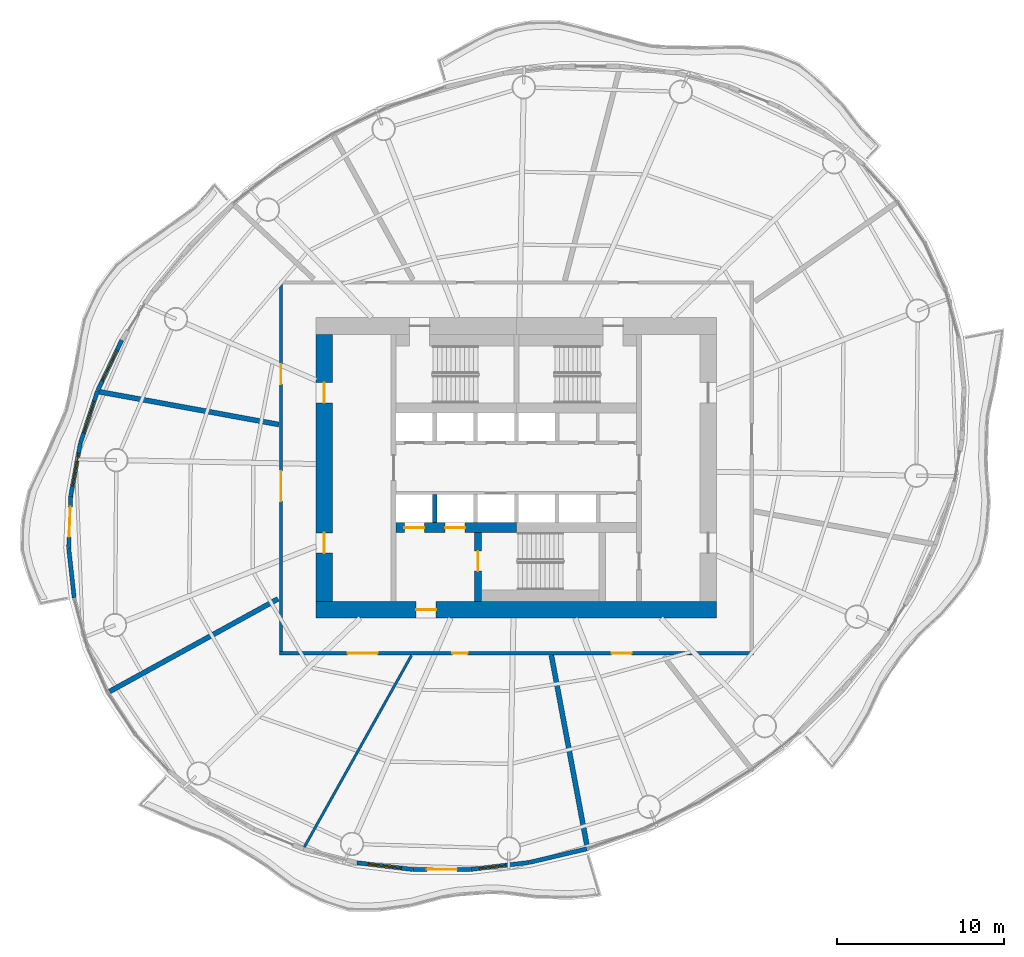
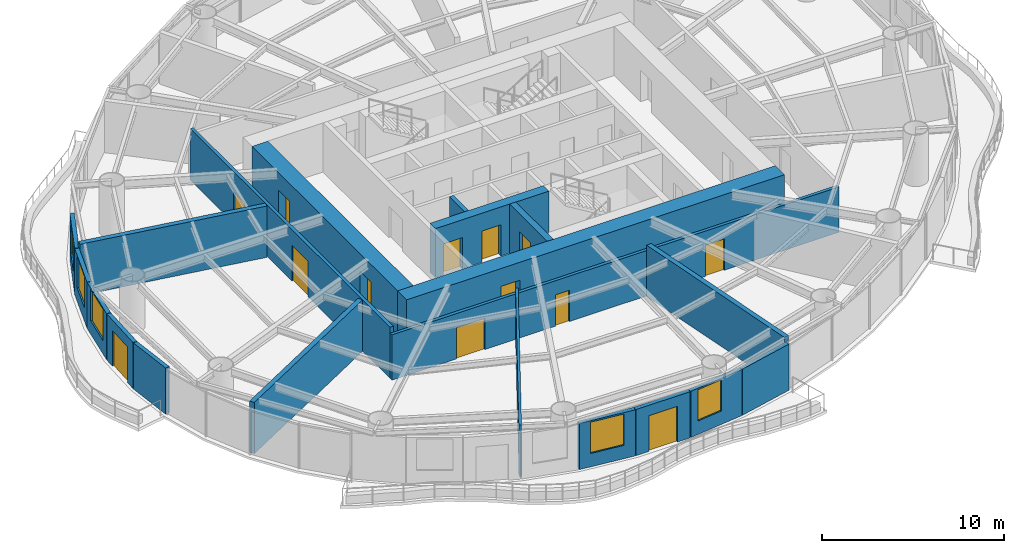
# One storey, part 8 of 14: 20 walls, 13 doors, 5 windows, 18 openings.
"""IFC4 building model written with IfcOpenShell, lengths in metres."""

from ifc_helpers import new_model, si_unit, direction, frame, frame_2d, origin, place, context, subcontext, project, spatial, rectangle, extrude, material, layer, layer_set, type_object, element, fill, save


model = new_model("IFC4")

# Units and contexts
model_context = context("Model", 3, precision=1e-05, world=origin(), true_north=direction((0.0, 1.0)))
body_context = subcontext(model_context, "Body", "Model", "MODEL_VIEW")
ifc_project = project(units=[si_unit("LENGTHUNIT", "METRE"), si_unit("AREAUNIT", "SQUARE_METRE"), si_unit("VOLUMEUNIT", "CUBIC_METRE"), si_unit("PLANEANGLEUNIT", "RADIAN"), si_unit("MASSUNIT", "GRAM", prefix="KILO")], contexts=[model_context])

# Site, building, storey
site_placement = place(None, origin())
site = spatial("IfcSite", under=ifc_project, at=site_placement, CompositionType="ELEMENT")
building_placement = place(site_placement, origin())
building = spatial("IfcBuilding", under=site, at=building_placement, Name="Vermilion Reach Broadcast Tower", CompositionType="ELEMENT")
storey_placement = place(building_placement, frame((0.0, 0.0, 150.60009765625)))
storey = spatial("IfcBuildingStorey", under=building, at=storey_placement, Name="L35", CompositionType="ELEMENT", Elevation=150.60009765625)

# Wall, opening, door
ifc_material_1 = material(Name="Concrete C70", Category="concrete")
ifc_layer_1 = layer(ifc_material_1, 0.39990234375)
ifc_layer_set_1 = layer_set([ifc_layer_1], Name="Core inner wall 400 mm Concrete C70")
wall_type_1 = type_object("IfcWallType", Name="Core inner wall 400 mm Concrete C70", PredefinedType="SHEAR", material=ifc_layer_set_1)
wall_1_placement = place(storey_placement, frame((-8.300048828125, -3.8798828125, 0.0), z_axis=(0.0, 0.0, 1.0), x_axis=(0.0, -1.0, 0.0)))
wall_1 = element("IfcWall", 1, at=wall_1_placement, inside=storey, type_object=wall_type_1, Name="L35 core wall wa", PredefinedType="SHEAR", context=body_context, shape_type="SweptSolid", body=[
    extrude(rectangle(XDim=4.1201171875, YDim=0.39990234375, at=frame_2d((2.06005859375, 0.0))), origin(), (0.0, 0.0, 1.0), 3.2998046875),
])
opening_1_placement = place(wall_1_placement, frame((1.110107421875, 0.0, 0.0)))
opening_1 = element("IfcOpeningElement", 2, at=opening_1_placement, cuts=wall_1, Name="Opening D01", PredefinedType="OPENING", context=body_context, shape_type="SweptSolid", body=[
    extrude(rectangle(XDim=1.199951171875, YDim=2.10009765625, at=frame_2d((0.60009765625, 1.050048828125))), frame((0.0, 0.2099609375, 0.0), z_axis=(0.0, -1.0, 0.0), x_axis=(1.0, 0.0, 0.0)), (0.0, 0.0, 1.0), 0.419921875),
])
ifc_material_2 = material(Name="Painted steel fire door", Category="steel")
door_type_1 = type_object("IfcDoorType", Name="Stair door 1200 x 2100", OperationType="DOUBLE_DOOR_SINGLE_SWING", PredefinedType="NOTDEFINED", material=ifc_material_2)
door_1_placement = place(opening_1_placement, origin())
door_1 = element("IfcDoor", 3, at=door_1_placement, inside=storey, type_object=door_type_1, Name="L35 stair door ST3", OperationType="DOUBLE_DOOR_SINGLE_SWING", OverallHeight=2.10009765625, OverallWidth=1.199951171875, PredefinedType="NOTDEFINED", context=body_context, shape_type="SweptSolid", body=[
    extrude(rectangle(XDim=1.199951171875, YDim=2.10009765625, at=frame_2d((0.60009765625, 1.050048828125))), frame((0.0, 0.02490234375, 0.0), z_axis=(0.0, -1.0, 0.0), x_axis=(1.0, 0.0, 0.0)), (0.0, 0.0, 1.0), 0.050048828125),
])
fill(opening_1, door_1)

# Wall, openings, doors
ifc_material_3 = material(Name="Concrete C70", Category="concrete")
ifc_layer_2 = layer(ifc_material_3, 0.60009765625)
ifc_layer_set_2 = layer_set([ifc_layer_2], Name="Core inner wall 600 mm Concrete C70")
wall_type_2 = type_object("IfcWallType", Name="Core inner wall 600 mm Concrete C70", PredefinedType="SHEAR", material=ifc_layer_set_2)
wall_2_placement = place(storey_placement, frame((-13.199951171875, -3.580078125, 0.0), z_axis=(0.0, 0.0, 1.0), x_axis=(1.0, 0.0, 0.0)))
wall_2 = element("IfcWall", 4, at=wall_2_placement, inside=storey, type_object=wall_type_2, Name="L35 core wall wisW", PredefinedType="SHEAR", context=body_context, shape_type="SweptSolid", body=[
    extrude(rectangle(XDim=7.199951171875, YDim=0.60009765625, at=frame_2d((3.60009765625, 0.0))), origin(), (0.0, 0.0, 1.0), 3.2998046875),
])
opening_2_placement = place(wall_2_placement, frame((0.495849609375, 0.0, 0.0)))
opening_2 = element("IfcOpeningElement", 5, at=opening_2_placement, cuts=wall_2, Name="Opening LD1", PredefinedType="OPENING", context=body_context, shape_type="SweptSolid", body=[
    extrude(rectangle(XDim=1.199951171875, YDim=2.10009765625, at=frame_2d((0.60009765625, 1.050048828125))), frame((0.0, 0.31005859375, 0.0), z_axis=(0.0, -1.0, 0.0), x_axis=(1.0, 0.0, 0.0)), (0.0, 0.0, 1.0), 0.6201171875),
])
opening_3_placement = place(wall_2_placement, frame((2.9375, 0.0, 0.0)))
opening_3 = element("IfcOpeningElement", 6, at=opening_3_placement, cuts=wall_2, Name="Opening LD1", PredefinedType="OPENING", context=body_context, shape_type="SweptSolid", body=[
    extrude(rectangle(XDim=1.199951171875, YDim=2.10009765625, at=frame_2d((0.60009765625, 1.050048828125))), frame((0.0, 0.31005859375, 0.0), z_axis=(0.0, -1.0, 0.0), x_axis=(1.0, 0.0, 0.0)), (0.0, 0.0, 1.0), 0.6201171875),
])
ifc_material_4 = material(Name="Stainless steel", Category="steel")
door_type_2 = type_object("IfcDoorType", Name="Landing door 1200 x 2100", OperationType="DOUBLE_DOOR_SLIDING", PredefinedType="NOTDEFINED", material=ifc_material_4)
door_2_placement = place(opening_2_placement, origin())
door_2 = element("IfcDoor", 7, at=door_2_placement, inside=storey, type_object=door_type_2, Name="L35 landing door FF1", OperationType="DOUBLE_DOOR_SLIDING", OverallHeight=2.10009765625, OverallWidth=1.199951171875, PredefinedType="NOTDEFINED", context=body_context, shape_type="SweptSolid", body=[
    extrude(rectangle(XDim=1.199951171875, YDim=2.10009765625, at=frame_2d((0.60009765625, 1.050048828125))), frame((0.0, 0.02490234375, 0.0), z_axis=(0.0, -1.0, 0.0), x_axis=(1.0, 0.0, 0.0)), (0.0, 0.0, 1.0), 0.050048828125),
])
fill(opening_2, door_2)
door_3_placement = place(opening_3_placement, origin())
door_3 = element("IfcDoor", 8, at=door_3_placement, inside=storey, type_object=door_type_2, Name="L35 landing door FF2", OperationType="DOUBLE_DOOR_SLIDING", OverallHeight=2.10009765625, OverallWidth=1.199951171875, PredefinedType="NOTDEFINED", context=body_context, shape_type="SweptSolid", body=[
    extrude(rectangle(XDim=1.199951171875, YDim=2.10009765625, at=frame_2d((0.60009765625, 1.050048828125))), frame((0.0, 0.02490234375, 0.0), z_axis=(0.0, -1.0, 0.0), x_axis=(1.0, 0.0, 0.0)), (0.0, 0.0, 1.0), 0.050048828125),
])
fill(opening_3, door_3)

# Wall, opening, door
ifc_material_5 = material(Name="Concrete C70", Category="concrete")
ifc_layer_3 = layer(ifc_material_5, 1.0)
ifc_layer_set_3 = layer_set([ifc_layer_3], Name="Core outer wall 1000 mm Concrete C70")
wall_type_3 = type_object("IfcWallType", Name="Core outer wall 1000 mm Concrete C70", PredefinedType="SHEAR", material=ifc_layer_set_3)
wall_3_placement = place(storey_placement, frame((-18.0, -8.5, 0.0), z_axis=(0.0, 0.0, 1.0), x_axis=(1.0, 0.0, 0.0)))
wall_3 = element("IfcWall", 9, at=wall_3_placement, inside=storey, type_object=wall_type_3, Name="L35 core wall os", PredefinedType="SHEAR", context=body_context, shape_type="SweptSolid", body=[
    extrude(rectangle(XDim=24.0, YDim=1.0, at=frame_2d((12.0, 0.0))), origin(), (0.0, 0.0, 1.0), 3.2998046875),
])
opening_4_placement = place(wall_3_placement, frame((6.0, 0.0, 0.0)))
opening_4 = element("IfcOpeningElement", 10, at=opening_4_placement, cuts=wall_3, Name="Opening D02", PredefinedType="OPENING", context=body_context, shape_type="SweptSolid", body=[
    extrude(rectangle(XDim=1.199951171875, YDim=2.10009765625, at=frame_2d((0.60009765625, 1.050048828125))), frame((0.0, 0.510009765625, 0.0), z_axis=(0.0, -1.0, 0.0), x_axis=(1.0, 0.0, 0.0)), (0.0, 0.0, 1.0), 1.02001953125),
])
ifc_material_6 = material(Name="Painted steel fire door", Category="steel")
door_type_3 = type_object("IfcDoorType", Name="Firefighting lobby door 1200 x 2100", OperationType="DOUBLE_DOOR_SINGLE_SWING", PredefinedType="NOTDEFINED", material=ifc_material_6)
door_4_placement = place(opening_4_placement, origin())
door_4 = element("IfcDoor", 11, at=door_4_placement, inside=storey, type_object=door_type_3, Name="L35 ffdoor door FFL", OperationType="DOUBLE_DOOR_SINGLE_SWING", OverallHeight=2.10009765625, OverallWidth=1.199951171875, PredefinedType="NOTDEFINED", context=body_context, shape_type="SweptSolid", body=[
    extrude(rectangle(XDim=1.199951171875, YDim=2.10009765625, at=frame_2d((0.60009765625, 1.050048828125))), frame((0.0, 0.02490234375, 0.0), z_axis=(0.0, -1.0, 0.0), x_axis=(1.0, 0.0, 0.0)), (0.0, 0.0, 1.0), 0.050048828125),
])
fill(opening_4, door_4)

# Wall, openings, doors
wall_4_placement = place(storey_placement, frame((-17.5, 8.0, 0.0), z_axis=(0.0, 0.0, 1.0), x_axis=(0.0, -1.0, 0.0)))
wall_4 = element("IfcWall", 12, at=wall_4_placement, inside=storey, type_object=wall_type_3, Name="L35 core wall ow", PredefinedType="SHEAR", context=body_context, shape_type="SweptSolid", body=[
    extrude(rectangle(XDim=16.0, YDim=1.0, at=frame_2d((8.0, 0.0))), origin(), (0.0, 0.0, 1.0), 3.2998046875),
])
opening_5_placement = place(wall_4_placement, frame((11.89990234375, 0.0, 0.0)))
opening_5 = element("IfcOpeningElement", 13, at=opening_5_placement, cuts=wall_4, Name="Opening D03", PredefinedType="OPENING", context=body_context, shape_type="SweptSolid", body=[
    extrude(rectangle(XDim=1.199951171875, YDim=2.10009765625, at=frame_2d((0.60009765625, 1.050048828125))), frame((0.0, 0.510009765625, 0.0), z_axis=(0.0, -1.0, 0.0), x_axis=(1.0, 0.0, 0.0)), (0.0, 0.0, 1.0), 1.02001953125),
])
opening_6_placement = place(wall_4_placement, frame((2.89990234375, 0.0, 0.0)))
opening_6 = element("IfcOpeningElement", 14, at=opening_6_placement, cuts=wall_4, Name="Opening D03", PredefinedType="OPENING", context=body_context, shape_type="SweptSolid", body=[
    extrude(rectangle(XDim=1.199951171875, YDim=2.10009765625, at=frame_2d((0.60009765625, 1.050048828125))), frame((0.0, 0.510009765625, 0.0), z_axis=(0.0, -1.0, 0.0), x_axis=(1.0, 0.0, 0.0)), (0.0, 0.0, 1.0), 1.02001953125),
])
ifc_material_7 = material(Name="Painted steel fire door", Category="steel")
door_type_4 = type_object("IfcDoorType", Name="Core lobby door 1200 x 2100", OperationType="DOUBLE_DOOR_SINGLE_SWING", PredefinedType="NOTDEFINED", material=ifc_material_7)
door_5_placement = place(opening_5_placement, origin())
door_5 = element("IfcDoor", 15, at=door_5_placement, inside=storey, type_object=door_type_4, Name="L35 slot door W0", OperationType="DOUBLE_DOOR_SINGLE_SWING", OverallHeight=2.10009765625, OverallWidth=1.199951171875, PredefinedType="NOTDEFINED", context=body_context, shape_type="SweptSolid", body=[
    extrude(rectangle(XDim=1.199951171875, YDim=2.10009765625, at=frame_2d((0.60009765625, 1.050048828125))), frame((0.0, 0.02490234375, 0.0), z_axis=(0.0, -1.0, 0.0), x_axis=(1.0, 0.0, 0.0)), (0.0, 0.0, 1.0), 0.050048828125),
])
fill(opening_5, door_5)
door_6_placement = place(opening_6_placement, origin())
door_6 = element("IfcDoor", 16, at=door_6_placement, inside=storey, type_object=door_type_4, Name="L35 slot door W1", OperationType="DOUBLE_DOOR_SINGLE_SWING", OverallHeight=2.10009765625, OverallWidth=1.199951171875, PredefinedType="NOTDEFINED", context=body_context, shape_type="SweptSolid", body=[
    extrude(rectangle(XDim=1.199951171875, YDim=2.10009765625, at=frame_2d((0.60009765625, 1.050048828125))), frame((0.0, 0.02490234375, 0.0), z_axis=(0.0, -1.0, 0.0), x_axis=(1.0, 0.0, 0.0)), (0.0, 0.0, 1.0), 0.050048828125),
])
fill(opening_6, door_6)

# Wall
ifc_material_8 = material(Name="Concrete C50", Category="concrete")
ifc_layer_4 = layer(ifc_material_8, 0.25)
ifc_layer_set_4 = layer_set([ifc_layer_4], Name="Core shaft wall 250 mm Concrete C50")
wall_type_4 = type_object("IfcWallType", Name="Core shaft wall 250 mm Concrete C50", PredefinedType="SHEAR", material=ifc_layer_set_4)
wall_5_placement = place(storey_placement, frame((-10.88330078125, -1.60009765625, 0.0), z_axis=(0.0, 0.0, 1.0), x_axis=(0.0, -1.0, 0.0)))
element("IfcWall", 17, at=wall_5_placement, inside=storey, type_object=wall_type_4, Name="L35 core wall psS0", PredefinedType="SHEAR", context=body_context, shape_type="SweptSolid", body=[
    extrude(rectangle(XDim=1.679931640625, YDim=0.25, at=frame_2d((0.83984375, 0.0))), origin(), (0.0, 0.0, 1.0), 3.2998046875),
])

# Wall, openings, doors
ifc_material_9 = material(Name="Fire-rated gypsum board partition")
ifc_layer_5 = layer(ifc_material_9, 0.199951171875)
ifc_layer_set_5 = layer_set([ifc_layer_5], Name="Corridor wall 200 fire-rated")
wall_type_5 = type_object("IfcWallType", Name="Corridor wall 200 fire-rated", PredefinedType="PARTITIONING", material=ifc_layer_set_5)
wall_6_placement = place(storey_placement, frame((-20.10009765625, -11.0, 0.0), z_axis=(0.0, 0.0, 1.0), x_axis=(0.0, 1.0, 0.0)))
wall_6 = element("IfcWall", 18, at=wall_6_placement, inside=storey, type_object=wall_type_5, Name="Corridor wall 35.W", PredefinedType="PARTITIONING", context=body_context, shape_type="SweptSolid", body=[
    extrude(rectangle(XDim=22.0, YDim=0.199951171875, at=frame_2d((11.0, 0.0))), origin(), (0.0, 0.0, 1.0), 3.449951171875),
])
opening_7_placement = place(wall_6_placement, frame((16.014404296875, 0.0, 0.0)))
opening_7 = element("IfcOpeningElement", 19, at=opening_7_placement, cuts=wall_6, Name="Opening D26", PredefinedType="OPENING", context=body_context, shape_type="SweptSolid", body=[
    extrude(rectangle(XDim=1.199951171875, YDim=2.10009765625, at=frame_2d((0.60009765625, 1.050048828125))), frame((0.0, 0.10986328125, 0.0), z_axis=(0.0, -1.0, 0.0), x_axis=(1.0, 0.0, 0.0)), (0.0, 0.0, 1.0), 0.219970703125),
])
opening_8_placement = place(wall_6_placement, frame((9.012451171875, 0.0, 0.0)))
opening_8 = element("IfcOpeningElement", 20, at=opening_8_placement, cuts=wall_6, Name="Opening D27", PredefinedType="OPENING", context=body_context, shape_type="SweptSolid", body=[
    extrude(rectangle(XDim=1.800048828125, YDim=2.39990234375, at=frame_2d((0.89990234375, 1.199951171875))), frame((0.0, 0.10986328125, 0.0), z_axis=(0.0, -1.0, 0.0), x_axis=(1.0, 0.0, 0.0)), (0.0, 0.0, 1.0), 0.219970703125),
])
ifc_material_10 = material(Name="Acoustic timber door leaf", Category="wood")
door_type_5 = type_object("IfcDoorType", Name="Door pair 1800x2400", OperationType="NOTDEFINED", PredefinedType="DOOR", material=ifc_material_10)
door_7_placement = place(opening_8_placement, origin())
door_7 = element("IfcDoor", 21, at=door_7_placement, inside=storey, type_object=door_type_5, Name="Door 35.05", OperationType="DOUBLE_DOOR_SINGLE_SWING", OverallHeight=2.39990234375, OverallWidth=1.800048828125, PredefinedType="DOOR", context=body_context, shape_type="SweptSolid", body=[
    extrude(rectangle(XDim=1.800048828125, YDim=2.39990234375, at=frame_2d((0.89990234375, 1.199951171875))), frame((0.0, 0.02490234375, 0.0), z_axis=(0.0, -1.0, 0.0), x_axis=(1.0, 0.0, 0.0)), (0.0, 0.0, 1.0), 0.050048828125),
])
fill(opening_8, door_7)
ifc_material_11 = material(Name="Acoustic timber door leaf", Category="wood")
door_type_6 = type_object("IfcDoorType", Name="Door single 1200x2100", OperationType="NOTDEFINED", PredefinedType="DOOR", material=ifc_material_11)
door_8_placement = place(opening_7_placement, origin())
door_8 = element("IfcDoor", 22, at=door_8_placement, inside=storey, type_object=door_type_6, Name="Door 35.04", OperationType="SINGLE_SWING_LEFT", OverallHeight=2.10009765625, OverallWidth=1.199951171875, PredefinedType="DOOR", context=body_context, shape_type="SweptSolid", body=[
    extrude(rectangle(XDim=1.199951171875, YDim=2.10009765625, at=frame_2d((0.60009765625, 1.050048828125))), frame((0.0, 0.02490234375, 0.0), z_axis=(0.0, -1.0, 0.0), x_axis=(1.0, 0.0, 0.0)), (0.0, 0.0, 1.0), 0.050048828125),
])
fill(opening_7, door_8)

# Walls
ifc_material_12 = material(Name="Lightweight concrete block, plastered", Category="concrete")
ifc_layer_6 = layer(ifc_material_12, 0.14990234375)
ifc_layer_set_6 = layer_set([ifc_layer_6], Name="Partition 150 lightweight block")
wall_type_6 = type_object("IfcWallType", Name="Partition 150 lightweight block", PredefinedType="PARTITIONING", material=ifc_layer_set_6)
wall_7_placement = place(storey_placement, frame((-18.70654296875, -22.72021484375, 0.0), z_axis=(0.0, 0.0, 1.0), x_axis=(0.488112856121, 0.872780522061, 0.0)))
element("IfcWall", 23, at=wall_7_placement, inside=storey, type_object=wall_type_6, Name="Partition 35.07", PredefinedType="PARTITIONING", context=body_context, shape_type="SweptSolid", body=[
    extrude(rectangle(XDim=13.157470703125, YDim=0.14990234375, at=frame_2d((6.57861328125, 0.0))), origin(), (0.0, 0.0, 1.0), 3.449951171875),
])
ifc_material_13 = material(Name="Double-leaf plasterboard on isolated steel stud", Category="steel")
ifc_layer_7 = layer(ifc_material_13, 0.300048828125)
ifc_layer_set_7 = layer_set([ifc_layer_7], Name="Partition 300 acoustic double leaf")
wall_type_7 = type_object("IfcWallType", Name="Partition 300 acoustic double leaf", PredefinedType="PARTITIONING", material=ifc_layer_set_7)
wall_8_placement = place(storey_placement, frame((-30.971923828125, 4.55810546875, 0.0), z_axis=(0.0, 0.0, 1.0), x_axis=(0.983747727231, -0.179556144892, 0.0)))
element("IfcWall", 24, at=wall_8_placement, inside=storey, type_object=wall_type_7, Name="Partition 35.05", PredefinedType="PARTITIONING", context=body_context, shape_type="SweptSolid", body=[
    extrude(rectangle(XDim=10.92236328125, YDim=0.300048828125, at=frame_2d((5.461181640625, 0.0))), origin(), (0.0, 0.0, 1.0), 3.449951171875),
])
wall_9_placement = place(storey_placement, frame((-30.359375, -13.3916015625, 0.0), z_axis=(0.0, 0.0, 1.0), x_axis=(0.876308586889, 0.481750205547, 0.0)))
element("IfcWall", 25, at=wall_9_placement, inside=storey, type_object=wall_type_7, Name="Partition 35.06", PredefinedType="PARTITIONING", context=body_context, shape_type="SweptSolid", body=[
    extrude(rectangle(XDim=11.510986328125, YDim=0.300048828125, at=frame_2d((5.75537109375, 0.0))), origin(), (0.0, 0.0, 1.0), 3.449951171875),
])
wall_10_placement = place(storey_placement, frame((-1.75927734375, -22.68701171875, 0.0), z_axis=(0.0, 0.0, 1.0), x_axis=(-0.183744806011, 0.982973980461, 0.0)))
element("IfcWall", 26, at=wall_10_placement, inside=storey, type_object=wall_type_7, Name="Partition 35.08", PredefinedType="PARTITIONING", context=body_context, shape_type="SweptSolid", body=[
    extrude(rectangle(XDim=11.657958984375, YDim=0.300048828125, at=frame_2d((5.8291015625, 0.0))), origin(), (0.0, 0.0, 1.0), 3.449951171875),
])

# Wall, opening, window
ifc_material_14 = material(Name="Terracotta rainscreen cladding", Category="masonry")
ifc_layer_8 = layer(ifc_material_14, 0.25)
ifc_layer_set_8 = layer_set([ifc_layer_8], Name="Terracotta rainscreen wall 250")
wall_type_8 = type_object("IfcWallType", Name="Terracotta rainscreen wall 250", PredefinedType="SOLIDWALL", material=ifc_layer_set_8)
wall_11_placement = place(storey_placement, frame((-29.6376953125, 7.645263671875, 0.0), z_axis=(0.0, 0.0, 1.0), x_axis=(-0.430495314567, -0.902592811923, 0.0)))
wall_11 = element("IfcWall", 27, at=wall_11_placement, inside=storey, type_object=wall_type_8, Name="External wall L35 17", PredefinedType="SOLIDWALL", context=body_context, shape_type="SweptSolid", body=[
    extrude(rectangle(XDim=3.356689453125, YDim=0.25, at=frame_2d((1.67822265625, 0.0))), origin(), (0.0, 0.0, 1.0), 3.099853515625),
])
opening_9_placement = place(wall_11_placement, frame((0.678466796875, 0.0, 0.89990234375)))
opening_9 = element("IfcOpeningElement", 28, at=opening_9_placement, cuts=wall_11, Name="Opening W03", PredefinedType="OPENING", context=body_context, shape_type="SweptSolid", body=[
    extrude(rectangle(XDim=2.0, YDim=2.10009765625, at=frame_2d((1.0, 1.050048828125))), frame((0.0, 0.135009765625, 0.0), z_axis=(0.0, -1.0, 0.0), x_axis=(1.0, 0.0, 0.0)), (0.0, 0.0, 1.0), 0.27001953125),
])
ifc_material_15 = material(Name="Low-e laminated clear glass in aluminium frame", Category="aluminium")
window_type_1 = type_object("IfcWindowType", Name="Punched window 2000 x 2100 sill 900", PartitioningType="SINGLE_PANEL", PredefinedType="WINDOW", material=ifc_material_15)
window_1_placement = place(opening_9_placement, origin())
window_1 = element("IfcWindow", 29, at=window_1_placement, inside=storey, type_object=window_type_1, Name="Window L35 17", OverallHeight=2.10009765625, OverallWidth=2.0, PartitioningType="SINGLE_PANEL", PredefinedType="WINDOW", context=body_context, shape_type="SweptSolid", body=[
    extrude(rectangle(XDim=2.0, YDim=2.10009765625, at=frame_2d((1.0, 1.050048828125))), frame((0.0, 0.030029296875, 0.0), z_axis=(0.0, -1.0, 0.0), x_axis=(1.0, 0.0, 0.0)), (0.0, 0.0, 1.0), 0.06005859375),
])
fill(opening_9, window_1)

wall_12_placement = place(storey_placement, frame((-31.091552734375, 4.59326171875, 0.0), z_axis=(0.0, 0.0, 1.0), x_axis=(-0.311426794422, -0.950270146704, 0.0)))
wall_12 = element("IfcWall", 30, at=wall_12_placement, inside=storey, type_object=wall_type_8, Name="External wall L35 18", PredefinedType="SOLIDWALL", context=body_context, shape_type="SweptSolid", body=[
    extrude(rectangle(XDim=3.267578125, YDim=0.25, at=frame_2d((1.6337890625, 0.0))), origin(), (0.0, 0.0, 1.0), 3.099853515625),
])
opening_10_placement = place(wall_12_placement, frame((0.6337890625, 0.0, 0.89990234375)))
opening_10 = element("IfcOpeningElement", 31, at=opening_10_placement, cuts=wall_12, Name="Opening W03", PredefinedType="OPENING", context=body_context, shape_type="SweptSolid", body=[
    extrude(rectangle(XDim=2.0, YDim=2.10009765625, at=frame_2d((1.0, 1.050048828125))), frame((0.0, 0.135009765625, 0.0), z_axis=(0.0, -1.0, 0.0), x_axis=(1.0, 0.0, 0.0)), (0.0, 0.0, 1.0), 0.27001953125),
])
window_2_placement = place(opening_10_placement, origin())
window_2 = element("IfcWindow", 32, at=window_2_placement, inside=storey, type_object=window_type_1, Name="Window L35 18", OverallHeight=2.10009765625, OverallWidth=2.0, PartitioningType="SINGLE_PANEL", PredefinedType="WINDOW", context=body_context, shape_type="SweptSolid", body=[
    extrude(rectangle(XDim=2.0, YDim=2.10009765625, at=frame_2d((1.0, 1.050048828125))), frame((0.0, 0.030029296875, 0.0), z_axis=(0.0, -1.0, 0.0), x_axis=(1.0, 0.0, 0.0)), (0.0, 0.0, 1.0), 0.06005859375),
])
fill(opening_10, window_2)

wall_13_placement = place(storey_placement, frame((-32.115234375, 1.464111328125, 0.0), z_axis=(0.0, 0.0, 1.0), x_axis=(-0.18041951624, -0.983589750943, 0.0)))
wall_13 = element("IfcWall", 33, at=wall_13_placement, inside=storey, type_object=wall_type_8, Name="External wall L35 19", PredefinedType="SOLIDWALL", context=body_context, shape_type="SweptSolid", body=[
    extrude(rectangle(XDim=3.1787109375, YDim=0.25, at=frame_2d((1.58935546875, 0.0))), origin(), (0.0, 0.0, 1.0), 3.099853515625),
])
opening_11_placement = place(wall_13_placement, frame((0.58935546875, 0.0, 0.89990234375)))
opening_11 = element("IfcOpeningElement", 34, at=opening_11_placement, cuts=wall_13, Name="Opening W03", PredefinedType="OPENING", context=body_context, shape_type="SweptSolid", body=[
    extrude(rectangle(XDim=2.0, YDim=2.10009765625, at=frame_2d((1.0, 1.050048828125))), frame((0.0, 0.135009765625, 0.0), z_axis=(0.0, -1.0, 0.0), x_axis=(1.0, 0.0, 0.0)), (0.0, 0.0, 1.0), 0.27001953125),
])
window_3_placement = place(opening_11_placement, origin())
window_3 = element("IfcWindow", 35, at=window_3_placement, inside=storey, type_object=window_type_1, Name="Window L35 19", OverallHeight=2.10009765625, OverallWidth=2.0, PartitioningType="SINGLE_PANEL", PredefinedType="WINDOW", context=body_context, shape_type="SweptSolid", body=[
    extrude(rectangle(XDim=2.0, YDim=2.10009765625, at=frame_2d((1.0, 1.050048828125))), frame((0.0, 0.030029296875, 0.0), z_axis=(0.0, -1.0, 0.0), x_axis=(1.0, 0.0, 0.0)), (0.0, 0.0, 1.0), 0.06005859375),
])
fill(opening_11, window_3)

# Wall, opening, door
wall_14_placement = place(storey_placement, frame((-32.69140625, -1.687744140625, 0.0), z_axis=(0.0, 0.0, 1.0), x_axis=(-0.039102222246, -0.99923521566, 0.0)))
wall_14 = element("IfcWall", 36, at=wall_14_placement, inside=storey, type_object=wall_type_8, Name="External wall L35 20", PredefinedType="SOLIDWALL", context=body_context, shape_type="SweptSolid", body=[
    extrude(rectangle(XDim=3.096923828125, YDim=0.25, at=frame_2d((1.54833984375, 0.0))), origin(), (0.0, 0.0, 1.0), 3.099853515625),
])
opening_12_placement = place(wall_14_placement, frame((0.64794921875, 0.0, 0.0)))
opening_12 = element("IfcOpeningElement", 37, at=opening_12_placement, cuts=wall_14, Name="Opening D70", PredefinedType="OPENING", context=body_context, shape_type="SweptSolid", body=[
    extrude(rectangle(XDim=1.800048828125, YDim=2.39990234375, at=frame_2d((0.89990234375, 1.199951171875))), frame((0.0, 0.135009765625, 0.0), z_axis=(0.0, -1.0, 0.0), x_axis=(1.0, 0.0, 0.0)), (0.0, 0.0, 1.0), 0.27001953125),
])
ifc_material_16 = material(Name="Low-e laminated clear glass in aluminium frame", Category="aluminium")
door_type_7 = type_object("IfcDoorType", Name="Balcony sliding door 1800 x 2400", OperationType="DOUBLE_DOOR_SLIDING", PredefinedType="DOOR", material=ifc_material_16)
door_9_placement = place(opening_12_placement, origin())
door_9 = element("IfcDoor", 38, at=door_9_placement, inside=storey, type_object=door_type_7, Name="Balcony door L35 run 05", OperationType="DOUBLE_DOOR_SLIDING", OverallHeight=2.39990234375, OverallWidth=1.800048828125, PredefinedType="DOOR", context=body_context, shape_type="SweptSolid", body=[
    extrude(rectangle(XDim=1.800048828125, YDim=2.39990234375, at=frame_2d((0.89990234375, 1.199951171875))), frame((0.0, 0.02490234375, 0.0), z_axis=(0.0, -1.0, 0.0), x_axis=(1.0, 0.0, 0.0)), (0.0, 0.0, 1.0), 0.050048828125),
])
fill(opening_12, door_9)

# Wall
wall_15_placement = place(storey_placement, frame((-32.8115234375, -4.808837890625, 0.0), z_axis=(0.0, 0.0, 1.0), x_axis=(0.109695830788, -0.993965202966, 0.0)))
element("IfcWall", 39, at=wall_15_placement, inside=storey, type_object=wall_type_8, Name="External wall L35 21", PredefinedType="SOLIDWALL", context=body_context, shape_type="SweptSolid", body=[
    extrude(rectangle(XDim=2.98681640625, YDim=0.25, at=frame_2d((1.493408203125, 0.0))), origin(), (0.0, 0.0, 1.0), 3.099853515625),
])

# Wall, opening, window
wall_16_placement = place(storey_placement, frame((-15.54296875, -23.651123046875, 0.0), z_axis=(0.0, 0.0, 1.0), x_axis=(0.992754830244, -0.120157592466, 0.0)))
wall_16 = element("IfcWall", 40, at=wall_16_placement, inside=storey, type_object=wall_type_8, Name="External wall L35 30", PredefinedType="SOLIDWALL", context=body_context, shape_type="SweptSolid", body=[
    extrude(rectangle(XDim=3.356689453125, YDim=0.25, at=frame_2d((1.67822265625, 0.0))), origin(), (0.0, 0.0, 1.0), 3.099853515625),
])
opening_13_placement = place(wall_16_placement, frame((0.678466796875, 0.0, 0.89990234375)))
opening_13 = element("IfcOpeningElement", 41, at=opening_13_placement, cuts=wall_16, Name="Opening W03", PredefinedType="OPENING", context=body_context, shape_type="SweptSolid", body=[
    extrude(rectangle(XDim=2.0, YDim=2.10009765625, at=frame_2d((1.0, 1.050048828125))), frame((0.0, 0.135009765625, 0.0), z_axis=(0.0, -1.0, 0.0), x_axis=(1.0, 0.0, 0.0)), (0.0, 0.0, 1.0), 0.27001953125),
])
window_4_placement = place(opening_13_placement, origin())
window_4 = element("IfcWindow", 42, at=window_4_placement, inside=storey, type_object=window_type_1, Name="Window L35 30", OverallHeight=2.10009765625, OverallWidth=2.0, PartitioningType="SINGLE_PANEL", PredefinedType="WINDOW", context=body_context, shape_type="SweptSolid", body=[
    extrude(rectangle(XDim=2.0, YDim=2.10009765625, at=frame_2d((1.0, 1.050048828125))), frame((0.0, 0.030029296875, 0.0), z_axis=(0.0, -1.0, 0.0), x_axis=(1.0, 0.0, 0.0)), (0.0, 0.0, 1.0), 0.06005859375),
])
fill(opening_13, window_4)

# Wall, opening, door
wall_17_placement = place(storey_placement, frame((-12.187255859375, -24.055908203125, 0.0), z_axis=(0.0, 0.0, 1.0), x_axis=(0.999998549944, 0.001702970638, 0.0)))
wall_17 = element("IfcWall", 43, at=wall_17_placement, inside=storey, type_object=wall_type_8, Name="External wall L35 31", PredefinedType="SOLIDWALL", context=body_context, shape_type="SweptSolid", body=[
    extrude(rectangle(XDim=3.440673828125, YDim=0.25, at=frame_2d((1.72021484375, 0.0))), origin(), (0.0, 0.0, 1.0), 3.099853515625),
])
opening_14_placement = place(wall_17_placement, frame((0.820068359375, 0.0, 0.0)))
opening_14 = element("IfcOpeningElement", 44, at=opening_14_placement, cuts=wall_17, Name="Opening D70", PredefinedType="OPENING", context=body_context, shape_type="SweptSolid", body=[
    extrude(rectangle(XDim=1.800048828125, YDim=2.39990234375, at=frame_2d((0.89990234375, 1.199951171875))), frame((0.0, 0.135009765625, 0.0), z_axis=(0.0, -1.0, 0.0), x_axis=(1.0, 0.0, 0.0)), (0.0, 0.0, 1.0), 0.27001953125),
])
door_10_placement = place(opening_14_placement, origin())
door_10 = element("IfcDoor", 45, at=door_10_placement, inside=storey, type_object=door_type_7, Name="Balcony door L35 run 08", OperationType="DOUBLE_DOOR_SLIDING", OverallHeight=2.39990234375, OverallWidth=1.800048828125, PredefinedType="DOOR", context=body_context, shape_type="SweptSolid", body=[
    extrude(rectangle(XDim=1.800048828125, YDim=2.39990234375, at=frame_2d((0.89990234375, 1.199951171875))), frame((0.0, 0.02490234375, 0.0), z_axis=(0.0, -1.0, 0.0), x_axis=(1.0, 0.0, 0.0)), (0.0, 0.0, 1.0), 0.050048828125),
])
fill(opening_14, door_10)

# Wall, opening, window
wall_18_placement = place(storey_placement, frame((-8.72412109375, -24.048583984375, 0.0), z_axis=(0.0, 0.0, 1.0), x_axis=(0.992969234445, 0.11837271411, 0.0)))
wall_18 = element("IfcWall", 46, at=wall_18_placement, inside=storey, type_object=wall_type_8, Name="External wall L35 32", PredefinedType="SOLIDWALL", context=body_context, shape_type="SweptSolid", body=[
    extrude(rectangle(XDim=3.514404296875, YDim=0.25, at=frame_2d((1.75732421875, 0.0))), origin(), (0.0, 0.0, 1.0), 3.099853515625),
])
opening_15_placement = place(wall_18_placement, frame((0.507080078125, 0.0, 0.89990234375)))
opening_15 = element("IfcOpeningElement", 47, at=opening_15_placement, cuts=wall_18, Name="Opening W04", PredefinedType="OPENING", context=body_context, shape_type="SweptSolid", body=[
    extrude(rectangle(XDim=1.60009765625, YDim=2.10009765625, at=frame_2d((0.800048828125, 1.050048828125))), frame((0.0, 0.135009765625, 0.0), z_axis=(0.0, -1.0, 0.0), x_axis=(1.0, 0.0, 0.0)), (0.0, 0.0, 1.0), 0.27001953125),
])
ifc_material_17 = material(Name="Low-e laminated clear glass in aluminium frame", Category="aluminium")
window_type_2 = type_object("IfcWindowType", Name="Punched window 1600 x 2100 sill 900", PartitioningType="SINGLE_PANEL", PredefinedType="WINDOW", material=ifc_material_17)
window_5_placement = place(opening_15_placement, origin())
window_5 = element("IfcWindow", 48, at=window_5_placement, inside=storey, type_object=window_type_2, Name="Window L35 32", OverallHeight=2.10009765625, OverallWidth=1.60009765625, PartitioningType="SINGLE_PANEL", PredefinedType="WINDOW", context=body_context, shape_type="SweptSolid", body=[
    extrude(rectangle(XDim=1.60009765625, YDim=2.10009765625, at=frame_2d((0.800048828125, 1.050048828125))), frame((0.0, 0.030029296875, 0.0), z_axis=(0.0, -1.0, 0.0), x_axis=(1.0, 0.0, 0.0)), (0.0, 0.0, 1.0), 0.06005859375),
])
fill(opening_15, window_5)

# Wall
wall_19_placement = place(storey_placement, frame((-5.212646484375, -23.62890625, 0.0), z_axis=(0.0, 0.0, 1.0), x_axis=(0.973349080419, 0.229328514683, 0.0)))
element("IfcWall", 49, at=wall_19_placement, inside=storey, type_object=wall_type_8, Name="External wall L35 33", PredefinedType="SOLIDWALL", context=body_context, shape_type="SweptSolid", body=[
    extrude(rectangle(XDim=3.529052734375, YDim=0.25, at=frame_2d((1.7646484375, 0.0))), origin(), (0.0, 0.0, 1.0), 3.099853515625),
])

# Wall, openings, doors
ifc_material_18 = material(Name="Fire-rated gypsum board partition")
ifc_layer_9 = layer(ifc_material_18, 0.199951171875)
ifc_layer_set_9 = layer_set([ifc_layer_9], Name="Under girder: Corridor wall 200 fire-rated")
wall_type_9 = type_object("IfcWallType", Name="Under girder: Corridor wall 200 fire-rated", PredefinedType="PARTITIONING", material=ifc_layer_set_9)
wall_20_placement = place(storey_placement, frame((8.199951171875, -11.10009765625, 0.0), z_axis=(0.0, 0.0, 1.0), x_axis=(-1.0, 0.0, 0.0)))
wall_20 = element("IfcWall", 50, at=wall_20_placement, inside=storey, type_object=wall_type_9, Name="Corridor wall 35.S", PredefinedType="PARTITIONING", context=body_context, shape_type="SweptSolid", body=[
    extrude(rectangle(XDim=28.39990234375, YDim=0.199951171875, at=frame_2d((14.199951171875, 0.0))), origin(), (0.0, 0.0, 1.0), 3.0498046875),
])
opening_16_placement = place(wall_20_placement, frame((22.504638671875, 0.0, 0.0)))
opening_16 = element("IfcOpeningElement", 51, at=opening_16_placement, cuts=wall_20, Name="Opening D21", PredefinedType="OPENING", context=body_context, shape_type="SweptSolid", body=[
    extrude(rectangle(XDim=1.800048828125, YDim=2.10009765625, at=frame_2d((0.89990234375, 1.050048828125))), frame((0.0, 0.10986328125, 0.0), z_axis=(0.0, -1.0, 0.0), x_axis=(1.0, 0.0, 0.0)), (0.0, 0.0, 1.0), 0.219970703125),
])
opening_17_placement = place(wall_20_placement, frame((17.126708984375, 0.0, 0.0)))
opening_17 = element("IfcOpeningElement", 52, at=opening_17_placement, cuts=wall_20, Name="Opening D22", PredefinedType="OPENING", context=body_context, shape_type="SweptSolid", body=[
    extrude(rectangle(XDim=0.89990234375, YDim=2.10009765625, at=frame_2d((0.449951171875, 1.050048828125))), frame((0.0, 0.10986328125, 0.0), z_axis=(0.0, -1.0, 0.0), x_axis=(1.0, 0.0, 0.0)), (0.0, 0.0, 1.0), 0.219970703125),
])
opening_18_placement = place(wall_20_placement, frame((7.29052734375, 0.0, 0.0)))
opening_18 = element("IfcOpeningElement", 53, at=opening_18_placement, cuts=wall_20, Name="Opening D26", PredefinedType="OPENING", context=body_context, shape_type="SweptSolid", body=[
    extrude(rectangle(XDim=1.199951171875, YDim=2.10009765625, at=frame_2d((0.60009765625, 1.050048828125))), frame((0.0, 0.10986328125, 0.0), z_axis=(0.0, -1.0, 0.0), x_axis=(1.0, 0.0, 0.0)), (0.0, 0.0, 1.0), 0.219970703125),
])
ifc_material_19 = material(Name="Timber door leaf", Category="wood")
door_type_8 = type_object("IfcDoorType", Name="Door pair 1800x2100", OperationType="NOTDEFINED", PredefinedType="DOOR", material=ifc_material_19)
door_11_placement = place(opening_16_placement, origin())
door_11 = element("IfcDoor", 54, at=door_11_placement, inside=storey, type_object=door_type_8, Name="Door 35.06", OperationType="DOUBLE_DOOR_SINGLE_SWING", OverallHeight=2.10009765625, OverallWidth=1.800048828125, PredefinedType="DOOR", context=body_context, shape_type="SweptSolid", body=[
    extrude(rectangle(XDim=1.800048828125, YDim=2.10009765625, at=frame_2d((0.89990234375, 1.050048828125))), frame((0.0, 0.02490234375, 0.0), z_axis=(0.0, -1.0, 0.0), x_axis=(1.0, 0.0, 0.0)), (0.0, 0.0, 1.0), 0.050048828125),
])
fill(opening_16, door_11)
door_12_placement = place(opening_18_placement, origin())
door_12 = element("IfcDoor", 55, at=door_12_placement, inside=storey, type_object=door_type_6, Name="Door 35.08", OperationType="SINGLE_SWING_LEFT", OverallHeight=2.10009765625, OverallWidth=1.199951171875, PredefinedType="DOOR", context=body_context, shape_type="SweptSolid", body=[
    extrude(rectangle(XDim=1.199951171875, YDim=2.10009765625, at=frame_2d((0.60009765625, 1.050048828125))), frame((0.0, 0.02490234375, 0.0), z_axis=(0.0, -1.0, 0.0), x_axis=(1.0, 0.0, 0.0)), (0.0, 0.0, 1.0), 0.050048828125),
])
fill(opening_18, door_12)
ifc_material_20 = material(Name="Timber door leaf", Category="wood")
door_type_9 = type_object("IfcDoorType", Name="Door single 900x2100", OperationType="NOTDEFINED", PredefinedType="DOOR", material=ifc_material_20)
door_13_placement = place(opening_17_placement, origin())
door_13 = element("IfcDoor", 56, at=door_13_placement, inside=storey, type_object=door_type_9, Name="Door 35.07", OperationType="SINGLE_SWING_RIGHT", OverallHeight=2.10009765625, OverallWidth=0.89990234375, PredefinedType="DOOR", context=body_context, shape_type="SweptSolid", body=[
    extrude(rectangle(XDim=0.89990234375, YDim=2.10009765625, at=frame_2d((0.449951171875, 1.050048828125))), frame((0.0, 0.02490234375, 0.0), z_axis=(0.0, -1.0, 0.0), x_axis=(1.0, 0.0, 0.0)), (0.0, 0.0, 1.0), 0.050048828125),
])
fill(opening_17, door_13)

save(model, "model.ifc")
